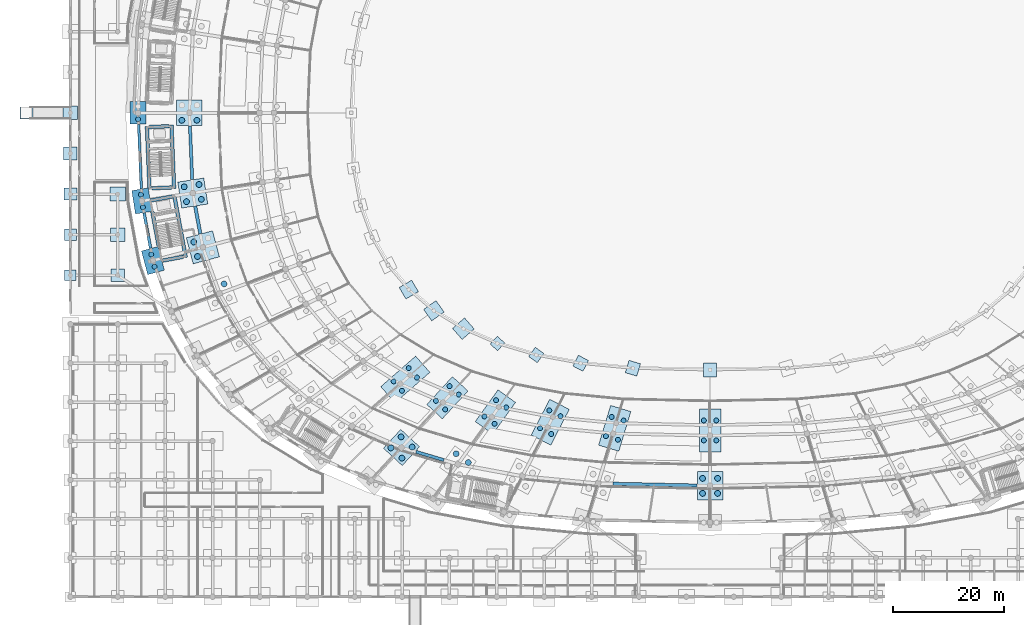
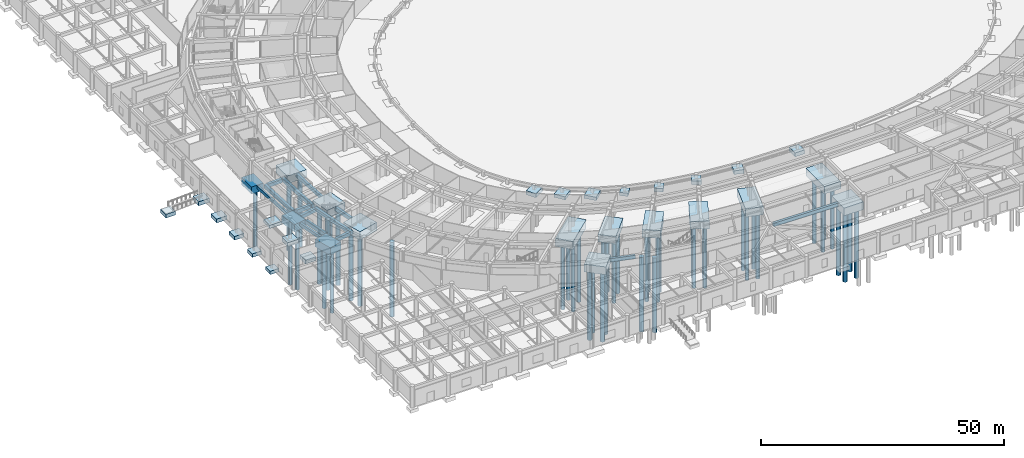
# One storey, part 3 of 88: 48 piles, 45 footings.
"""IFC4 building model written with IfcOpenShell, lengths in metres."""

from ifc_helpers import new_model, si_unit, direction, frame, origin, origin_2d, place, context, subcontext, project, spatial, rectangle, circle, extrude, material, material_profile, profile_set, type_object, element, save


model = new_model("IFC4")

# Units and contexts
model_context = context("Model", 3, precision=1e-05, world=origin(), true_north=direction((0.0, 1.0)))
body_context = subcontext(model_context, "Body", "Model", "MODEL_VIEW")
ifc_project = project(units=[si_unit("LENGTHUNIT", "METRE"), si_unit("AREAUNIT", "SQUARE_METRE"), si_unit("VOLUMEUNIT", "CUBIC_METRE"), si_unit("PLANEANGLEUNIT", "RADIAN"), si_unit("MASSUNIT", "GRAM", prefix="KILO")], contexts=[model_context])

# Site, building, storey
site_placement = place(None, origin())
site = spatial("IfcSite", under=ifc_project, at=site_placement, CompositionType="ELEMENT")
building_placement = place(site_placement, origin())
building = spatial("IfcBuilding", under=site, at=building_placement, Name="Mphavela Belvedere Stadium", CompositionType="ELEMENT")
storey_placement = place(building_placement, origin())
storey = spatial("IfcBuildingStorey", under=building, at=storey_placement, Name="L00", CompositionType="ELEMENT", Elevation=0.0)

# Footings
ifc_material_1 = material(Name="Concrete C35/45", Category="concrete")
footing_type_1 = type_object("IfcFootingType", Name="FTG-CORE-CF01", PredefinedType="PAD_FOOTING", material=ifc_material_1)
for number, where, z_axis, x_axis, name in (
    (1, (18.40380859375, 79.1044921875, -0.89990234375), (0.0, 0.0, 1.0), (-0.041875653729, 0.999122830099, 0.0), "Core C08 shear wall foundation pad front"),
    (2, (19.697998046875, 66.614501953125, -0.89990234375), (0.0, 0.0, 1.0), (-0.182578735093, 0.983191235463, 0.0), "Core C09 shear wall foundation pad front"),
):
    element("IfcFooting", number, at=place(storey_placement, frame(where, z_axis=z_axis, x_axis=x_axis)), inside=storey, type_object=footing_type_1, Name=name, PredefinedType="PAD_FOOTING", context=body_context, shape_type="SweptSolid", body=[
        extrude(rectangle(XDim=11.419921875, YDim=0.64990234375, at=origin_2d()), origin(), (0.0, 0.0, 1.0), 0.89990234375),
    ])
ifc_material_2 = material(Name="Concrete C35/45", Category="concrete")
footing_type_2 = type_object("IfcFootingType", Name="FTG-CORE-CF07", PredefinedType="PAD_FOOTING", material=ifc_material_2)
for number, where, z_axis, x_axis, name in (
    (3, (16.431396484375, 73.507080078125, -0.89990234375), (0.0, 0.0, 1.0), (-0.999122830099, -0.041875653729, 0.0), "Core C08 shear wall foundation pad left"),
    (4, (15.969970703125, 84.517578125, -0.89990234375), (0.0, 0.0, 1.0), (-0.999122830099, -0.041875653729, 0.0), "Core C08 shear wall foundation pad right"),
):
    element("IfcFooting", number, at=place(storey_placement, frame(where, z_axis=z_axis, x_axis=x_axis)), inside=storey, type_object=footing_type_2, Name=name, PredefinedType="PAD_FOOTING", context=body_context, shape_type="SweptSolid", body=[
        extrude(rectangle(XDim=3.5, YDim=0.64990234375, at=origin_2d()), origin(), (0.0, 0.0, 1.0), 0.89990234375),
    ])
ifc_material_3 = material(Name="Concrete C35/45", Category="concrete")
footing_type_3 = type_object("IfcFootingType", Name="FTG-CORE-CF08", PredefinedType="PAD_FOOTING", material=ifc_material_3)
footing_1_placement = place(storey_placement, frame((18.427978515625, 60.7744140625, -0.89990234375), z_axis=(0.0, 0.0, 1.0), x_axis=(-0.983191235463, -0.182578735093, 0.0)))
element("IfcFooting", 5, at=footing_1_placement, inside=storey, type_object=footing_type_3, Name="Core C09 shear wall foundation pad left", PredefinedType="PAD_FOOTING", context=body_context, shape_type="SweptSolid", body=[
    extrude(rectangle(XDim=3.75, YDim=0.64990234375, at=origin_2d()), origin(), (0.0, 0.0, 1.0), 0.89990234375),
])
ifc_material_4 = material(Name="Concrete C35/45", Category="concrete")
footing_type_4 = type_object("IfcFootingType", Name="FTG-CORE-CF09", PredefinedType="PAD_FOOTING", material=ifc_material_4)
footing_2_placement = place(storey_placement, frame((16.36669921875, 71.60009765625, -0.89990234375), z_axis=(0.0, 0.0, 1.0), x_axis=(-0.983191235463, -0.182578735093, 0.0)))
element("IfcFooting", 6, at=footing_2_placement, inside=storey, type_object=footing_type_4, Name="Core C09 shear wall foundation pad right", PredefinedType="PAD_FOOTING", context=body_context, shape_type="SweptSolid", body=[
    extrude(rectangle(XDim=4.0, YDim=0.64990234375, at=origin_2d()), origin(), (0.0, 0.0, 1.0), 0.89990234375),
])
ifc_material_5 = material(Name="Concrete C35/45", Category="concrete")
footing_type_5 = type_object("IfcFootingType", Name="FTG-CORE-CF15", PredefinedType="PAD_FOOTING", material=ifc_material_5)
footing_3_placement = place(storey_placement, frame((15.300537109375, 66.140380859375, -0.89990234375), z_axis=(0.0, 0.0, 1.0), x_axis=(-0.182578735093, 0.983191235463, 0.0)))
element("IfcFooting", 7, at=footing_3_placement, inside=storey, type_object=footing_type_5, Name="Core C09 shear wall foundation pad rear", PredefinedType="PAD_FOOTING", context=body_context, shape_type="SweptSolid", body=[
    extrude(rectangle(XDim=6.25, YDim=0.64990234375, at=origin_2d()), origin(), (0.0, 0.0, 1.0), 0.89990234375),
])
ifc_material_6 = material(Name="Concrete C35/45", Category="concrete")
footing_type_6 = type_object("IfcFootingType", Name="FTG-CORE-CF25", PredefinedType="PAD_FOOTING", material=ifc_material_6)
footing_4_placement = place(storey_placement, frame((13.992919921875, 79.031982421875, -0.89990234375), z_axis=(0.0, 0.0, 1.0), x_axis=(-0.041875653729, 0.999122830099, 0.0)))
element("IfcFooting", 8, at=footing_4_placement, inside=storey, type_object=footing_type_6, Name="Core C08 shear wall foundation pad rear", PredefinedType="PAD_FOOTING", context=body_context, shape_type="SweptSolid", body=[
    extrude(rectangle(XDim=11.0, YDim=0.64990234375, at=origin_2d()), origin(), (0.0, 0.0, 1.0), 0.89990234375),
])
ifc_material_7 = material(Name="Concrete C35/45", Category="concrete")
ifc_material_profile_1 = material_profile(ifc_material_7, rectangle(XDim=0.449951171875, YDim=0.75, at=origin_2d()), Name="GB 450x750")
ifc_profile_set_1 = profile_set([ifc_material_profile_1], Name="Concrete C35/45")
footing_type_7 = type_object("IfcFootingType", Name="FTG-GB-01", PredefinedType="FOOTING_BEAM", material=ifc_profile_set_1)
footing_5_placement = place(storey_placement, frame((12.267822265625, 84.906494140625, -0.5), z_axis=(0.041900969976, -0.999121768712, 0.0), x_axis=(0.999121768712, 0.041900969976, 0.0)))
element("IfcFooting", 9, at=footing_5_placement, inside=storey, type_object=footing_type_7, Name="Ground tie-beam R4-25", PredefinedType="FOOTING_BEAM", context=body_context, shape_type="SweptSolid", body=[
    extrude(rectangle(XDim=0.449951171875, YDim=0.75, at=origin_2d()), origin(), (0.0, 0.0, 1.0), 11.56591796875),
])
ifc_material_8 = material(Name="Concrete C35/45", Category="concrete")
ifc_material_profile_2 = material_profile(ifc_material_8, rectangle(XDim=0.5, YDim=0.800048828125, at=origin_2d()), Name="GB 500x800")
ifc_profile_set_2 = profile_set([ifc_material_profile_2], Name="Concrete C35/45")
footing_type_8 = type_object("IfcFootingType", Name="FTG-GB-02", PredefinedType="FOOTING_BEAM", material=ifc_profile_set_2)
footing_6_placement = place(storey_placement, frame((13.240478515625, 69.02392578125, -0.5), z_axis=(0.182630729722, -0.983181578632, 0.0), x_axis=(0.983181578632, 0.182630729722, 0.0)))
element("IfcFooting", 10, at=footing_6_placement, inside=storey, type_object=footing_type_8, Name="Ground tie-beam R4-26", PredefinedType="FOOTING_BEAM", context=body_context, shape_type="SweptSolid", body=[
    extrude(rectangle(XDim=0.5, YDim=0.800048828125, at=origin_2d()), origin(), (0.0, 0.0, 1.0), 6.47412109375),
])
ifc_material_9 = material(Name="Concrete C35/45", Category="concrete")
ifc_material_profile_3 = material_profile(ifc_material_9, rectangle(XDim=0.550048828125, YDim=0.85009765625, at=origin_2d()), Name="GB 550x850")
ifc_profile_set_3 = profile_set([ifc_material_profile_3], Name="Concrete C35/45")
footing_type_9 = type_object("IfcFootingType", Name="FTG-GB-03", PredefinedType="FOOTING_BEAM", material=ifc_profile_set_3)
footing_7_placement = place(storey_placement, frame((21.493408203125, 84.654541015625, -0.550048828125), z_axis=(0.04189572605, -0.999121988617, 0.0), x_axis=(0.999121988617, 0.04189572605, 0.0)))
element("IfcFooting", 11, at=footing_7_placement, inside=storey, type_object=footing_type_9, Name="Ground tie-beam R3-25", PredefinedType="FOOTING_BEAM", context=body_context, shape_type="SweptSolid", body=[
    extrude(rectangle(XDim=0.550048828125, YDim=0.85009765625, at=origin_2d()), origin(), (0.0, 0.0, 1.0), 9.650146484375),
])
footing_8_placement = place(storey_placement, frame((62.145263671875, 26.053955078125, -0.550048828125), z_axis=(0.958653855215, -0.284574745684, 0.0), x_axis=(0.284574745684, 0.958653855215, 0.0)))
element("IfcFooting", 12, at=footing_8_placement, inside=storey, type_object=footing_type_9, Name="Ground tie-beam R3-33", PredefinedType="FOOTING_BEAM", context=body_context, shape_type="SweptSolid", body=[
    extrude(rectangle(XDim=0.550048828125, YDim=0.85009765625, at=origin_2d()), origin(), (0.0, 0.0, 1.0), 5.2119140625),
])
ifc_material_10 = material(Name="Concrete C35/45", Category="concrete")
ifc_material_profile_4 = material_profile(ifc_material_10, rectangle(XDim=0.60009765625, YDim=0.89990234375, at=origin_2d()), Name="GB 600x900")
ifc_profile_set_4 = profile_set([ifc_material_profile_4], Name="Concrete C35/45")
footing_type_10 = type_object("IfcFootingType", Name="FTG-GB-04", PredefinedType="FOOTING_BEAM", material=ifc_profile_set_4)
footing_9_placement = place(storey_placement, frame((22.43896484375, 70.21142578125, -0.550048828125), z_axis=(0.182663824385, -0.983175430562, 0.0), x_axis=(0.983175430562, 0.182663824385, 0.0)))
element("IfcFooting", 13, at=footing_9_placement, inside=storey, type_object=footing_type_10, Name="Ground tie-beam R3-26", PredefinedType="FOOTING_BEAM", context=body_context, shape_type="SweptSolid", body=[
    extrude(rectangle(XDim=0.60009765625, YDim=0.89990234375, at=origin_2d()), origin(), (0.0, 0.0, 1.0), 5.0361328125),
])
footing_10_placement = place(storey_placement, frame((97.56005859375, 20.30810546875, -0.550048828125), z_axis=(0.999768159061, -0.021532025609, 0.0), x_axis=(0.021532025609, 0.999768159061, 0.0)))
element("IfcFooting", 14, at=footing_10_placement, inside=storey, type_object=footing_type_10, Name="Ground tie-beam R3-36", PredefinedType="FOOTING_BEAM", context=body_context, shape_type="SweptSolid", body=[
    extrude(rectangle(XDim=0.60009765625, YDim=0.89990234375, at=origin_2d()), origin(), (0.0, 0.0, 1.0), 15.102783203125),
])
ifc_material_11 = material(Name="Concrete C35/45", Category="concrete")
footing_type_11 = type_object("IfcFootingType", Name="FTG-PAD-01", PredefinedType="PAD_FOOTING", material=ifc_material_11)
footing_11_placement = place(storey_placement, frame((76.770263671875, 45.537109375, -0.7998046875), z_axis=(0.0, 0.0, 1.0), x_axis=(-0.677903094969, -0.735151272753, 0.0)))
element("IfcFooting", 15, at=footing_11_placement, inside=storey, type_object=footing_type_11, Name="Tier front pad footing 33", PredefinedType="PAD_FOOTING", context=body_context, shape_type="SweptSolid", body=[
    extrude(rectangle(XDim=1.89990234375, YDim=1.800048828125, at=origin_2d()), origin(), (0.0, 0.0, 1.0), 0.800048828125),
])
ifc_material_12 = material(Name="Concrete C35/45", Category="concrete")
footing_type_12 = type_object("IfcFootingType", Name="FTG-PAD-02", PredefinedType="PAD_FOOTING", material=ifc_material_12)
for number, where, z_axis, x_axis, name in (
    (16, (83.7568359375, 43.46337890625, -0.83984375), (0.0, 0.0, 1.0), (-0.582974127943, -0.812490717577, 0.0), "Tier front pad footing 34"),
    (17, (0.0, 57.800048828125, -0.83984375), (0.0, 0.0, 1.0), (1.0, 0.0, 0.0), "West Planted Eaves Peristyle Colonnade pad footing 1-2"),
):
    element("IfcFooting", number, at=place(storey_placement, frame(where, z_axis=z_axis, x_axis=x_axis)), inside=storey, type_object=footing_type_12, Name=name, PredefinedType="PAD_FOOTING", context=body_context, shape_type="SweptSolid", body=[
        extrude(rectangle(XDim=2.0400390625, YDim=1.919921875, at=origin_2d()), origin(), (0.0, 0.0, 1.0), 0.840087890625),
    ])
ifc_material_13 = material(Name="Concrete C35/45", Category="concrete")
footing_type_13 = type_object("IfcFootingType", Name="FTG-PAD-03", PredefinedType="PAD_FOOTING", material=ifc_material_13)
for number, where, z_axis, x_axis, name in (
    (18, (91.741943359375, 41.97607421875, -0.8798828125), (0.0, 0.0, 1.0), (-0.458959712465, -0.888457079624, 0.0), "Tier front pad footing 35"),
    (19, (0.0, 65.10009765625, -0.8798828125), (0.0, 0.0, 1.0), (1.0, 0.0, 0.0), "West Planted Eaves Peristyle Colonnade pad footing 1-3"),
):
    element("IfcFooting", number, at=place(storey_placement, frame(where, z_axis=z_axis, x_axis=x_axis)), inside=storey, type_object=footing_type_13, Name=name, PredefinedType="PAD_FOOTING", context=body_context, shape_type="SweptSolid", body=[
        extrude(rectangle(XDim=2.179931640625, YDim=2.0400390625, at=origin_2d()), origin(), (0.0, 0.0, 1.0), 0.8798828125),
    ])
ifc_material_14 = material(Name="Concrete C35/45", Category="concrete")
footing_type_14 = type_object("IfcFootingType", Name="FTG-PAD-04", PredefinedType="PAD_FOOTING", material=ifc_material_14)
for number, where, z_axis, x_axis, name in (
    (20, (101.126220703125, 41.081298828125, -0.919921875), (0.0, 0.0, 1.0), (-0.289198876314, -0.957269037387, 0.0), "Tier front pad footing 36"),
    (21, (0.0, 72.39990234375, -0.919921875), (0.0, 0.0, 1.0), (1.0, 0.0, 0.0), "West Planted Eaves Peristyle Colonnade pad footing 1-4"),
    (22, (-7.89990234375, 87.0, -1.4599609375), (0.0, 0.0, 1.0), (1.0, 0.0, 0.0), "Ramp RP5 approach foundation pad"),
):
    element("IfcFooting", number, at=place(storey_placement, frame(where, z_axis=z_axis, x_axis=x_axis)), inside=storey, type_object=footing_type_14, Name=name, PredefinedType="PAD_FOOTING", context=body_context, shape_type="SweptSolid", body=[
        extrude(rectangle(XDim=2.320068359375, YDim=2.159912109375, at=origin_2d()), origin(), (0.0, 0.0, 1.0), 0.919921875),
    ])
ifc_material_15 = material(Name="Concrete C35/45", Category="concrete")
footing_type_15 = type_object("IfcFootingType", Name="FTG-PAD-05", PredefinedType="PAD_FOOTING", material=ifc_material_15)
for number, where, z_axis, x_axis, name in (
    (23, (115.0, 40.782470703125, -0.9599609375), (0.0, 0.0, 1.0), (0.0, -1.0, 0.0), "Tier front pad footing 37"),
    (24, (0.0, 79.699951171875, -0.9599609375), (0.0, 0.0, 1.0), (1.0, 0.0, 0.0), "West Planted Eaves Peristyle Colonnade pad footing 1-5"),
    (25, (8.5, 57.800048828125, -0.9599609375), (0.0, 0.0, 1.0), (1.0, 0.0, 0.0), "West Planted Eaves Peristyle Colonnade pad footing 2-2"),
):
    element("IfcFooting", number, at=place(storey_placement, frame(where, z_axis=z_axis, x_axis=x_axis)), inside=storey, type_object=footing_type_15, Name=name, PredefinedType="PAD_FOOTING", context=body_context, shape_type="SweptSolid", body=[
        extrude(rectangle(XDim=2.4599609375, YDim=2.280029296875, at=origin_2d()), origin(), (0.0, 0.0, 1.0), 0.9599609375),
    ])
ifc_material_16 = material(Name="Concrete C35/45", Category="concrete")
footing_type_16 = type_object("IfcFootingType", Name="FTG-PAD-06", PredefinedType="PAD_FOOTING", material=ifc_material_16)
for number, where, z_axis, x_axis, name in (
    (26, (60.8349609375, 55.22216796875, -1.0), (0.0, 0.0, 1.0), (-0.862513669207, -0.506033764121, 0.0), "Tier front pad footing 30"),
    (27, (0.0, 87.0, -1.0), (0.0, 0.0, 1.0), (1.0, 0.0, 0.0), "West Planted Eaves Peristyle Colonnade pad footing 1-6"),
    (28, (8.5, 65.10009765625, -1.0), (0.0, 0.0, 1.0), (1.0, 0.0, 0.0), "West Planted Eaves Peristyle Colonnade pad footing 2-3"),
):
    element("IfcFooting", number, at=place(storey_placement, frame(where, z_axis=z_axis, x_axis=x_axis)), inside=storey, type_object=footing_type_16, Name=name, PredefinedType="PAD_FOOTING", context=body_context, shape_type="SweptSolid", body=[
        extrude(rectangle(XDim=2.60009765625, YDim=2.39990234375, at=origin_2d()), origin(), (0.0, 0.0, 1.0), 1.0),
    ])
ifc_material_17 = material(Name="Concrete C35/45", Category="concrete")
footing_type_17 = type_object("IfcFootingType", Name="FTG-PAD-07", PredefinedType="PAD_FOOTING", material=ifc_material_17)
for number, where, z_axis, x_axis, name in (
    (29, (65.341064453125, 51.419677734375, -0.7998046875), (0.0, 0.0, 1.0), (-0.812897512265, -0.582406760395, 0.0), "Tier front pad footing 31"),
    (30, (8.5, 72.39990234375, -0.7998046875), (0.0, 0.0, 1.0), (1.0, 0.0, 0.0), "West Planted Eaves Peristyle Colonnade pad footing 2-4"),
):
    element("IfcFooting", number, at=place(storey_placement, frame(where, z_axis=z_axis, x_axis=x_axis)), inside=storey, type_object=footing_type_17, Name=name, PredefinedType="PAD_FOOTING", context=body_context, shape_type="SweptSolid", body=[
        extrude(rectangle(XDim=2.739990234375, YDim=2.52001953125, at=origin_2d()), origin(), (0.0, 0.0, 1.0), 0.800048828125),
    ])
ifc_material_18 = material(Name="Concrete C35/45", Category="concrete")
footing_type_18 = type_object("IfcFootingType", Name="FTG-PAD-08", PredefinedType="PAD_FOOTING", material=ifc_material_18)
footing_12_placement = place(storey_placement, frame((70.648193359375, 48.19091796875, -0.83984375), z_axis=(0.0, 0.0, 1.0), x_axis=(-0.752529860433, -0.658558128912, 0.0)))
element("IfcFooting", 31, at=footing_12_placement, inside=storey, type_object=footing_type_18, Name="Tier front pad footing 32", PredefinedType="PAD_FOOTING", context=body_context, shape_type="SweptSolid", body=[
    extrude(rectangle(XDim=2.8798828125, YDim=2.639892578125, at=origin_2d()), origin(), (0.0, 0.0, 1.0), 0.840087890625),
])
ifc_material_19 = material(Name="Concrete C35/45", Category="concrete")
footing_type_19 = type_object("IfcFootingType", Name="FTG-PC-R12-01", PredefinedType="PILE_CAP", material=ifc_material_19)
footing_13_placement = place(storey_placement, frame((67.7734375, 35.779296875, -1.85009765625), z_axis=(0.0, 0.0, 1.0), x_axis=(-0.677903094969, -0.735151272753, 0.0)))
element("IfcFooting", 32, at=footing_13_placement, inside=storey, type_object=footing_type_19, Name="Bowl inner pile cap 33", PredefinedType="PILE_CAP", context=body_context, shape_type="SweptSolid", body=[
    extrude(rectangle(XDim=6.800048828125, YDim=3.800048828125, at=origin_2d()), origin(), (0.0, 0.0, 1.0), 1.85009765625),
])
ifc_material_20 = material(Name="Concrete C35/45", Category="concrete")
footing_type_20 = type_object("IfcFootingType", Name="FTG-PC-R12-02", PredefinedType="PILE_CAP", material=ifc_material_20)
footing_14_placement = place(storey_placement, frame((76.404052734375, 33.21728515625, -1.91015625), z_axis=(0.0, 0.0, 1.0), x_axis=(-0.582974127943, -0.812490717577, 0.0)))
element("IfcFooting", 33, at=footing_14_placement, inside=storey, type_object=footing_type_20, Name="Bowl inner pile cap 34", PredefinedType="PILE_CAP", context=body_context, shape_type="SweptSolid", body=[
    extrude(rectangle(XDim=7.02001953125, YDim=3.8798828125, at=origin_2d()), origin(), (0.0, 0.0, 1.0), 1.909912109375),
])
ifc_material_21 = material(Name="Concrete C35/45", Category="concrete")
footing_type_21 = type_object("IfcFootingType", Name="FTG-PC-R12-03", PredefinedType="PILE_CAP", material=ifc_material_21)
footing_15_placement = place(storey_placement, frame((86.2685546875, 31.380126953125, -1.97021484375), z_axis=(0.0, 0.0, 1.0), x_axis=(-0.458959712465, -0.888457079624, 0.0)))
element("IfcFooting", 34, at=footing_15_placement, inside=storey, type_object=footing_type_21, Name="Bowl inner pile cap 35", PredefinedType="PILE_CAP", context=body_context, shape_type="SweptSolid", body=[
    extrude(rectangle(XDim=7.239990234375, YDim=3.9599609375, at=origin_2d()), origin(), (0.0, 0.0, 1.0), 1.969970703125),
])
ifc_material_22 = material(Name="Concrete C35/45", Category="concrete")
footing_type_22 = type_object("IfcFootingType", Name="FTG-PC-R12-04", PredefinedType="PILE_CAP", material=ifc_material_22)
footing_16_placement = place(storey_placement, frame((97.861083984375, 30.27490234375, -2.02978515625), z_axis=(0.0, 0.0, 1.0), x_axis=(-0.289198876314, -0.957269037387, 0.0)))
element("IfcFooting", 35, at=footing_16_placement, inside=storey, type_object=footing_type_22, Name="Bowl inner pile cap 36", PredefinedType="PILE_CAP", context=body_context, shape_type="SweptSolid", body=[
    extrude(rectangle(XDim=7.4599609375, YDim=3.800048828125, at=origin_2d()), origin(), (0.0, 0.0, 1.0), 2.030029296875),
])
ifc_material_23 = material(Name="Concrete C35/45", Category="concrete")
footing_type_23 = type_object("IfcFootingType", Name="FTG-PC-R12-05", PredefinedType="PILE_CAP", material=ifc_material_23)
footing_17_placement = place(storey_placement, frame((115.0, 29.90576171875, -1.85009765625), z_axis=(0.0, 0.0, 1.0), x_axis=(0.0, -1.0, 0.0)))
element("IfcFooting", 36, at=footing_17_placement, inside=storey, type_object=footing_type_23, Name="Bowl inner pile cap 37", PredefinedType="PILE_CAP", context=body_context, shape_type="SweptSolid", body=[
    extrude(rectangle(XDim=7.679931640625, YDim=3.8798828125, at=origin_2d()), origin(), (0.0, 0.0, 1.0), 1.85009765625),
])
ifc_material_24 = material(Name="Concrete C35/45", Category="concrete")
footing_type_24 = type_object("IfcFootingType", Name="FTG-PC-R12-08", PredefinedType="PILE_CAP", material=ifc_material_24)
footing_18_placement = place(storey_placement, frame((60.21044921875, 39.0576171875, -2.02978515625), z_axis=(0.0, 0.0, 1.0), x_axis=(-0.752529860433, -0.658558128912, 0.0)))
element("IfcFooting", 37, at=footing_18_placement, inside=storey, type_object=footing_type_24, Name="Bowl inner pile cap 32", PredefinedType="PILE_CAP", context=body_context, shape_type="SweptSolid", body=[
    extrude(rectangle(XDim=8.340087890625, YDim=3.8798828125, at=origin_2d()), origin(), (0.0, 0.0, 1.0), 2.030029296875),
])
ifc_material_25 = material(Name="Concrete C35/45", Category="concrete")
footing_type_25 = type_object("IfcFootingType", Name="FTG-PC-R3-01", PredefinedType="PILE_CAP", material=ifc_material_25)
for number, where, z_axis, x_axis, name in (
    (38, (21.39501953125, 87.0, -1.9501953125), (0.0, 0.0, 1.0), (-1.0, 0.0, 0.0), "Bowl main pile cap 25"),
    (39, (59.523681640625, 26.83203125, -1.9501953125), (0.0, 0.0, 1.0), (-0.677903094969, -0.735151272753, 0.0), "Bowl main pile cap 33"),
):
    element("IfcFooting", number, at=place(storey_placement, frame(where, z_axis=z_axis, x_axis=x_axis)), inside=storey, type_object=footing_type_25, Name=name, PredefinedType="PILE_CAP", context=body_context, shape_type="SweptSolid", body=[
        extrude(rectangle(XDim=4.60009765625, YDim=4.60009765625, at=origin_2d()), origin(), (0.0, 0.0, 1.0), 1.949951171875),
    ])
ifc_material_26 = material(Name="Concrete C35/45", Category="concrete")
footing_type_26 = type_object("IfcFootingType", Name="FTG-PC-R3-02", PredefinedType="PILE_CAP", material=ifc_material_26)
footing_19_placement = place(storey_placement, frame((22.0, 72.5751953125, -2.009765625), z_axis=(0.0, 0.0, 1.0), x_axis=(-0.98817491911, -0.153330783737, 0.0)))
element("IfcFooting", 40, at=footing_19_placement, inside=storey, type_object=footing_type_26, Name="Bowl main pile cap 26", PredefinedType="PILE_CAP", context=body_context, shape_type="SweptSolid", body=[
    extrude(rectangle(XDim=4.739990234375, YDim=4.719970703125, at=origin_2d()), origin(), (0.0, 0.0, 1.0), 2.010009765625),
])
ifc_material_27 = material(Name="Concrete C35/45", Category="concrete")
footing_type_27 = type_object("IfcFootingType", Name="FTG-PC-R3-03", PredefinedType="PILE_CAP", material=ifc_material_27)
footing_20_placement = place(storey_placement, frame((23.8125, 62.818115234375, -2.06982421875), z_axis=(0.0, 0.0, 1.0), x_axis=(-0.966600102017, -0.256289373133, 0.0)))
element("IfcFooting", 41, at=footing_20_placement, inside=storey, type_object=footing_type_27, Name="Bowl main pile cap 27", PredefinedType="PILE_CAP", context=body_context, shape_type="SweptSolid", body=[
    extrude(rectangle(XDim=4.8798828125, YDim=4.840087890625, at=origin_2d()), origin(), (0.0, 0.0, 1.0), 2.070068359375),
])
ifc_material_28 = material(Name="Concrete C35/45", Category="concrete")
footing_type_28 = type_object("IfcFootingType", Name="FTG-PC-R3-05", PredefinedType="PILE_CAP", material=ifc_material_28)
footing_21_placement = place(storey_placement, frame((115.0, 19.9326171875, -1.9501953125), z_axis=(0.0, 0.0, 1.0), x_axis=(0.0, -1.0, 0.0)))
element("IfcFooting", 42, at=footing_21_placement, inside=storey, type_object=footing_type_28, Name="Bowl main pile cap 37", PredefinedType="PILE_CAP", context=body_context, shape_type="SweptSolid", body=[
    extrude(rectangle(XDim=5.159912109375, YDim=4.60009765625, at=origin_2d()), origin(), (0.0, 0.0, 1.0), 1.949951171875),
])
ifc_material_29 = material(Name="Concrete C35/45", Category="concrete")
footing_type_29 = type_object("IfcFootingType", Name="FTG-PC-R4-01", PredefinedType="PILE_CAP", material=ifc_material_29)
footing_22_placement = place(storey_placement, frame((12.179931640625, 87.0, -1.7998046875), z_axis=(0.0, 0.0, 1.0), x_axis=(0.0, -1.0, 0.0)))
element("IfcFooting", 43, at=footing_22_placement, inside=storey, type_object=footing_type_29, Name="Perimeter colonnade pile cap 25", PredefinedType="PILE_CAP", context=body_context, shape_type="SweptSolid", body=[
    extrude(rectangle(XDim=4.10009765625, YDim=2.89990234375, at=origin_2d()), origin(), (0.0, 0.0, 1.0), 1.800048828125),
])
ifc_material_30 = material(Name="Concrete C35/45", Category="concrete")
footing_type_30 = type_object("IfcFootingType", Name="FTG-PC-R4-02", PredefinedType="PILE_CAP", material=ifc_material_30)
footing_23_placement = place(storey_placement, frame((12.844482421875, 71.155029296875, -1.85986328125), z_axis=(0.0, 0.0, 1.0), x_axis=(0.153330783737, -0.98817491911, 0.0)))
element("IfcFooting", 44, at=footing_23_placement, inside=storey, type_object=footing_type_30, Name="Perimeter colonnade pile cap 26", PredefinedType="PILE_CAP", context=body_context, shape_type="SweptSolid", body=[
    extrude(rectangle(XDim=4.25, YDim=3.0, at=origin_2d()), origin(), (0.0, 0.0, 1.0), 1.860107421875),
])
ifc_material_31 = material(Name="Concrete C35/45", Category="concrete")
footing_type_31 = type_object("IfcFootingType", Name="FTG-PC-R4-03", PredefinedType="PILE_CAP", material=ifc_material_31)
footing_24_placement = place(storey_placement, frame((14.83544921875, 60.4375, -1.919921875), z_axis=(0.0, 0.0, 1.0), x_axis=(0.256289373133, -0.966600102017, 0.0)))
element("IfcFooting", 45, at=footing_24_placement, inside=storey, type_object=footing_type_31, Name="Perimeter colonnade pile cap 27", PredefinedType="PILE_CAP", context=body_context, shape_type="SweptSolid", body=[
    extrude(rectangle(XDim=4.39990234375, YDim=3.10009765625, at=origin_2d()), origin(), (0.0, 0.0, 1.0), 1.919921875),
])

# Piles
ifc_material_32 = material(Name="Concrete C35/45", Category="concrete")
ifc_material_profile_5 = material_profile(ifc_material_32, circle(Radius=0.52490234375, at=origin_2d()), Name="BP D1050")
ifc_profile_set_5 = profile_set([ifc_material_profile_5], Name="Concrete C35/45")
pile_type_1 = type_object("IfcPileType", Name="PIL-BP1050-A", PredefinedType="BORED", material=ifc_profile_set_5)
for number, where, z_axis, x_axis, name in (
    (46, (22.7451171875, 85.64990234375, -1.85009765625), (0.0, 0.0, -1.0), (1.0, 0.0, 0.0), "Bored pile R3-25-2"),
    (47, (20.044921875, 85.64990234375, -1.85009765625), (0.0, 0.0, -1.0), (1.0, 0.0, 0.0), "Bored pile R3-25-4"),
    (48, (22.16162109375, 63.77685546875, -1.969970703125), (0.0, 0.0, -1.0), (1.0, 0.0, 0.0), "Bored pile R3-27-3"),
    (49, (22.853515625, 61.167236328125, -1.969970703125), (0.0, 0.0, -1.0), (1.0, 0.0, 0.0), "Bored pile R3-27-4"),
    (50, (59.4462890625, 28.739501953125, -1.85009765625), (0.0, 0.0, -1.0), (1.0, 0.0, 0.0), "Bored pile R3-33-1"),
    (51, (61.431396484375, 26.909423828125, -1.85009765625), (0.0, 0.0, -1.0), (1.0, 0.0, 0.0), "Bored pile R3-33-2"),
    (52, (57.6162109375, 26.754638671875, -1.85009765625), (0.0, 0.0, -1.0), (1.0, 0.0, 0.0), "Bored pile R3-33-3"),
    (53, (59.601318359375, 24.92431640625, -1.85009765625), (0.0, 0.0, -1.0), (1.0, 0.0, 0.0), "Bored pile R3-33-4"),
    (54, (113.64990234375, 21.282470703125, -1.85009765625), (0.0, 0.0, -1.0), (1.0, 0.0, 0.0), "Bored pile R3-37-1"),
    (55, (116.35009765625, 21.282470703125, -1.85009765625), (0.0, 0.0, -1.0), (1.0, 0.0, 0.0), "Bored pile R3-37-2"),
    (56, (113.64990234375, 18.58251953125, -1.85009765625), (0.0, 0.0, -1.0), (1.0, 0.0, 0.0), "Bored pile R3-37-3"),
    (57, (116.35009765625, 18.58251953125, -1.85009765625), (0.0, 0.0, -1.0), (1.0, 0.0, 0.0), "Bored pile R3-37-4"),
):
    element("IfcPile", number, at=place(storey_placement, frame(where, z_axis=z_axis, x_axis=x_axis)), inside=storey, type_object=pile_type_1, Name=name, PredefinedType="BORED", context=body_context, shape_type="SweptSolid", body=[
        extrude(circle(Radius=0.52490234375, at=origin_2d()), origin(), (0.0, 0.0, 1.0), 17.5),
    ])
ifc_material_33 = material(Name="Concrete C35/45", Category="concrete")
ifc_material_profile_6 = material_profile(ifc_material_33, circle(Radius=0.52490234375, at=origin_2d()), Name="BP D1050")
ifc_profile_set_6 = profile_set([ifc_material_profile_6], Name="Concrete C35/45")
pile_type_2 = type_object("IfcPileType", Name="PIL-BP1050-B", PredefinedType="BORED", material=ifc_profile_set_6)
for number, where, z_axis, x_axis, name in (
    (58, (23.127197265625, 74.1162109375, -1.909912109375), (0.0, 0.0, -1.0), (1.0, 0.0, 0.0), "Bored pile R3-26-1"),
    (59, (23.541015625, 71.447998046875, -1.909912109375), (0.0, 0.0, -1.0), (1.0, 0.0, 0.0), "Bored pile R3-26-2"),
    (60, (20.458984375, 73.7021484375, -1.909912109375), (0.0, 0.0, -1.0), (1.0, 0.0, 0.0), "Bored pile R3-26-3"),
    (61, (20.872802734375, 71.0341796875, -1.909912109375), (0.0, 0.0, -1.0), (1.0, 0.0, 0.0), "Bored pile R3-26-4"),
    (62, (27.62451171875, 56.249267578125, -2.030029296875), (0.0, 0.0, -1.0), (1.0, 0.0, 0.0), "Bored pile R3-28-1"),
    (63, (69.352294921875, 25.70654296875, -1.909912109375), (0.0, 0.0, -1.0), (1.0, 0.0, 0.0), "Bored pile R3-34-1"),
    (64, (71.5458984375, 24.13232421875, -1.909912109375), (0.0, 0.0, -1.0), (1.0, 0.0, 0.0), "Bored pile R3-34-2"),
):
    element("IfcPile", number, at=place(storey_placement, frame(where, z_axis=z_axis, x_axis=x_axis)), inside=storey, type_object=pile_type_2, Name=name, PredefinedType="BORED", context=body_context, shape_type="SweptSolid", body=[
        extrude(circle(Radius=0.52490234375, at=origin_2d()), origin(), (0.0, 0.0, 1.0), 18.800048828125),
    ])
ifc_material_34 = material(Name="Concrete C35/45", Category="concrete")
ifc_material_profile_7 = material_profile(ifc_material_34, circle(Radius=0.449951171875, at=origin_2d()), Name="BP D900")
ifc_profile_set_7 = profile_set([ifc_material_profile_7], Name="Concrete C35/45")
pile_type_3 = type_object("IfcPileType", Name="PIL-BP900-A", PredefinedType="BORED", material=ifc_profile_set_7)
for number, where, z_axis, x_axis, name in (
    (65, (12.179931640625, 85.85009765625, -1.699951171875), (0.0, 0.0, -1.0), (1.0, 0.0, 0.0), "Bored pile R4-25-2"),
    (66, (12.668212890625, 72.29150390625, -1.760009765625), (0.0, 0.0, -1.0), (1.0, 0.0, 0.0), "Bored pile R4-26-1"),
    (67, (13.02099609375, 70.0185546875, -1.760009765625), (0.0, 0.0, -1.0), (1.0, 0.0, 0.0), "Bored pile R4-26-2"),
    (68, (14.54052734375, 61.549072265625, -1.820068359375), (0.0, 0.0, -1.0), (1.0, 0.0, 0.0), "Bored pile R4-27-1"),
    (69, (15.130126953125, 59.325927734375, -1.820068359375), (0.0, 0.0, -1.0), (1.0, 0.0, 0.0), "Bored pile R4-27-2"),
):
    element("IfcPile", number, at=place(storey_placement, frame(where, z_axis=z_axis, x_axis=x_axis)), inside=storey, type_object=pile_type_3, Name=name, PredefinedType="BORED", context=body_context, shape_type="SweptSolid", body=[
        extrude(circle(Radius=0.449951171875, at=origin_2d()), origin(), (0.0, 0.0, 1.0), 15.60009765625),
    ])
for number, where, z_axis, x_axis, name in (
    (70, (68.16650390625, 37.865234375, -1.75), (0.0, 0.0, -1.0), (1.0, 0.0, 0.0), "Bored pile R12-33-1"),
    (71, (69.820556640625, 36.340087890625, -1.75), (0.0, 0.0, -1.0), (1.0, 0.0, 0.0), "Bored pile R12-33-2"),
    (72, (65.726318359375, 35.218505859375, -1.75), (0.0, 0.0, -1.0), (1.0, 0.0, 0.0), "Bored pile R12-33-3"),
    (73, (67.38037109375, 33.693359375, -1.75), (0.0, 0.0, -1.0), (1.0, 0.0, 0.0), "Bored pile R12-33-4"),
    (74, (86.09521484375, 33.495849609375, -1.8701171875), (0.0, 0.0, -1.0), (1.0, 0.0, 0.0), "Bored pile R12-35-1"),
    (75, (88.09423828125, 32.463134765625, -1.8701171875), (0.0, 0.0, -1.0), (1.0, 0.0, 0.0), "Bored pile R12-35-2"),
    (76, (84.443115234375, 30.29736328125, -1.8701171875), (0.0, 0.0, -1.0), (1.0, 0.0, 0.0), "Bored pile R12-35-3"),
    (77, (86.44189453125, 29.2646484375, -1.8701171875), (0.0, 0.0, -1.0), (1.0, 0.0, 0.0), "Bored pile R12-35-4"),
    (78, (113.875, 31.705810546875, -1.75), (0.0, 0.0, -1.0), (1.0, 0.0, 0.0), "Bored pile R12-37-1"),
    (79, (116.125, 31.705810546875, -1.75), (0.0, 0.0, -1.0), (1.0, 0.0, 0.0), "Bored pile R12-37-2"),
    (80, (113.875, 28.105712890625, -1.75), (0.0, 0.0, -1.0), (1.0, 0.0, 0.0), "Bored pile R12-37-3"),
    (81, (116.125, 28.105712890625, -1.75), (0.0, 0.0, -1.0), (1.0, 0.0, 0.0), "Bored pile R12-37-4"),
):
    element("IfcPile", number, at=place(storey_placement, frame(where, z_axis=z_axis, x_axis=x_axis)), inside=storey, type_object=pile_type_3, Name=name, PredefinedType="BORED", context=body_context, shape_type="SweptSolid", body=[
        extrude(circle(Radius=0.449951171875, at=origin_2d()), origin(), (0.0, 0.0, 1.0), 16.0),
    ])
ifc_material_35 = material(Name="Concrete C35/45", Category="concrete")
ifc_material_profile_8 = material_profile(ifc_material_35, circle(Radius=0.449951171875, at=origin_2d()), Name="BP D900")
ifc_profile_set_8 = profile_set([ifc_material_profile_8], Name="Concrete C35/45")
pile_type_4 = type_object("IfcPileType", Name="PIL-BP900-B", PredefinedType="BORED", material=ifc_profile_set_8)
for number, where, z_axis, x_axis, name in (
    (82, (60.82421875, 41.089599609375, -1.929931640625), (0.0, 0.0, -1.0), (1.0, 0.0, 0.0), "Bored pile R12-32-1"),
    (83, (62.305908203125, 39.396484375, -1.929931640625), (0.0, 0.0, -1.0), (1.0, 0.0, 0.0), "Bored pile R12-32-2"),
    (84, (58.114990234375, 38.718994140625, -1.929931640625), (0.0, 0.0, -1.0), (1.0, 0.0, 0.0), "Bored pile R12-32-3"),
    (85, (59.5966796875, 37.025634765625, -1.929931640625), (0.0, 0.0, -1.0), (1.0, 0.0, 0.0), "Bored pile R12-32-4"),
    (86, (76.53955078125, 35.335693359375, -1.81005859375), (0.0, 0.0, -1.0), (1.0, 0.0, 0.0), "Bored pile R12-34-1"),
    (87, (78.36767578125, 34.02392578125, -1.81005859375), (0.0, 0.0, -1.0), (1.0, 0.0, 0.0), "Bored pile R12-34-2"),
    (88, (74.440673828125, 32.410888671875, -1.81005859375), (0.0, 0.0, -1.0), (1.0, 0.0, 0.0), "Bored pile R12-34-3"),
    (89, (76.2685546875, 31.09912109375, -1.81005859375), (0.0, 0.0, -1.0), (1.0, 0.0, 0.0), "Bored pile R12-34-4"),
    (90, (97.3046875, 32.3232421875, -1.929931640625), (0.0, 0.0, -1.0), (1.0, 0.0, 0.0), "Bored pile R12-36-1"),
    (91, (99.45849609375, 31.672607421875, -1.929931640625), (0.0, 0.0, -1.0), (1.0, 0.0, 0.0), "Bored pile R12-36-2"),
    (92, (96.263671875, 28.877197265625, -1.929931640625), (0.0, 0.0, -1.0), (1.0, 0.0, 0.0), "Bored pile R12-36-3"),
    (93, (98.41748046875, 28.226318359375, -1.929931640625), (0.0, 0.0, -1.0), (1.0, 0.0, 0.0), "Bored pile R12-36-4"),
):
    element("IfcPile", number, at=place(storey_placement, frame(where, z_axis=z_axis, x_axis=x_axis)), inside=storey, type_object=pile_type_4, Name=name, PredefinedType="BORED", context=body_context, shape_type="SweptSolid", body=[
        extrude(circle(Radius=0.449951171875, at=origin_2d()), origin(), (0.0, 0.0, 1.0), 17.199951171875),
    ])

save(model, "model.ifc")
